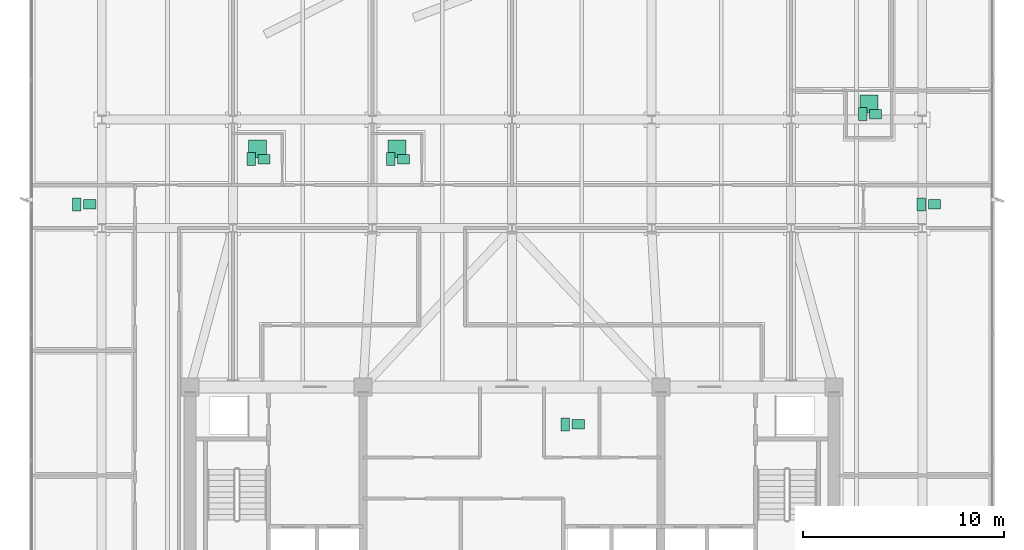
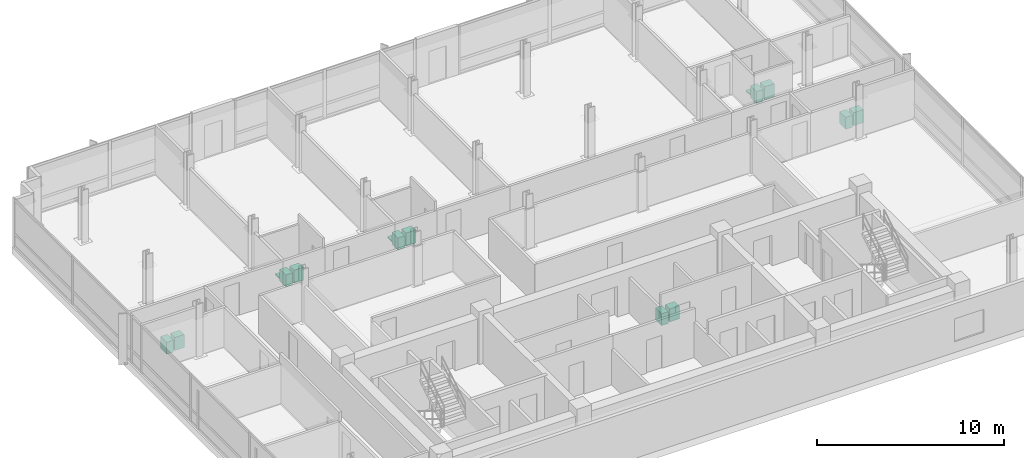
# One storey, part 16 of 16: 15 sanitary terminals.
"""IFC4 building model written with IfcOpenShell, lengths in metres."""

from ifc_helpers import new_model, si_unit, direction, frame, origin, origin_2d, place, context, subcontext, project, spatial, rectangle, extrude, material, type_object, element, save


model = new_model("IFC4")

# Units and contexts
model_context = context("Model", 3, precision=1e-05, world=origin(), true_north=direction((0.0, 1.0)))
body_context = subcontext(model_context, "Body", "Model", "MODEL_VIEW")
ifc_project = project(units=[si_unit("LENGTHUNIT", "METRE"), si_unit("AREAUNIT", "SQUARE_METRE"), si_unit("VOLUMEUNIT", "CUBIC_METRE"), si_unit("PLANEANGLEUNIT", "RADIAN"), si_unit("MASSUNIT", "GRAM", prefix="KILO")], contexts=[model_context])

# Site, building, storey
site_placement = place(None, origin())
site = spatial("IfcSite", under=ifc_project, at=site_placement, CompositionType="ELEMENT")
building_placement = place(site_placement, origin())
building = spatial("IfcBuilding", under=site, at=building_placement, Name="Solmavex Isthmus Hotel", CompositionType="ELEMENT")
storey_placement = place(building_placement, frame((0.0, 0.0, 245.39990234375)))
storey = spatial("IfcBuildingStorey", under=building, at=storey_placement, Name="L66", CompositionType="ELEMENT", Elevation=245.39990234375)

# Sanitary terminals
ifc_material = material(Name="Vitreous china ceramic", Category="ceramic")
sanitary_terminal_type_1 = type_object("IfcSanitaryTerminalType", Name="SAN-BASIN", PredefinedType="WASHHANDBASIN", material=ifc_material)
for number, where, z_axis, x_axis, name in (
    (1, (3.294921875, -4.360107421875, 0.0), (0.0, 0.0, 1.0), (1.0, 0.0, 0.0), "Vanity Washbasin L66-327"),
    (2, (-12.326904296875, 8.824951171875, 0.0), (0.0, 0.0, 1.0), (1.0, 0.0, 0.0), "Vanity Washbasin L66-328"),
    (3, (-5.39111328125, 8.824951171875, 0.0), (0.0, 0.0, 1.0), (1.0, 0.0, 0.0), "Vanity Washbasin L66-329"),
    (4, (18.071044921875, 11.06298828125, 0.0), (0.0, 0.0, 1.0), (1.0, 0.0, 0.0), "Vanity Washbasin L66-330"),
    (5, (-20.9951171875, 6.577392578125, 0.0), (0.0, 0.0, 1.0), (1.0, 0.0, 0.0), "Vanity Washbasin L66-331"),
    (6, (20.99609375, 6.577392578125, 0.0), (0.0, 0.0, 1.0), (1.0, 0.0, 0.0), "Vanity Washbasin L66-332"),
):
    element("IfcSanitaryTerminal", number, at=place(storey_placement, frame(where, z_axis=z_axis, x_axis=x_axis)), inside=storey, type_object=sanitary_terminal_type_1, Name=name, PredefinedType="WASHHANDBASIN", context=body_context, shape_type="SweptSolid", body=[
        extrude(rectangle(XDim=0.60009765625, YDim=0.47998046875, at=origin_2d()), origin(), (0.0, 0.0, 1.0), 0.85009765625),
    ])
sanitary_terminal_type_2 = type_object("IfcSanitaryTerminalType", Name="SAN-SHOWER", PredefinedType="SHOWER", material=ifc_material)
for number, where, z_axis, x_axis, name in (
    (7, (-12.64697265625, 9.324951171875, 0.0), (0.0, 0.0, 1.0), (1.0, 0.0, 0.0), "Walk-In Shower L66-328"),
    (8, (-5.7109375, 9.324951171875, 0.0), (0.0, 0.0, 1.0), (1.0, 0.0, 0.0), "Walk-In Shower L66-329"),
    (9, (17.7509765625, 11.56298828125, 0.0), (0.0, 0.0, 1.0), (1.0, 0.0, 0.0), "Walk-In Shower L66-330"),
):
    element("IfcSanitaryTerminal", number, at=place(storey_placement, frame(where, z_axis=z_axis, x_axis=x_axis)), inside=storey, type_object=sanitary_terminal_type_2, Name=name, PredefinedType="SHOWER", context=body_context, shape_type="SweptSolid", body=[
        extrude(rectangle(XDim=0.89990234375, YDim=0.89990234375, at=origin_2d()), origin(), (0.0, 0.0, 1.0), 0.080078125),
    ])
sanitary_terminal_type_3 = type_object("IfcSanitaryTerminalType", Name="SAN-WC-SUITE", PredefinedType="TOILETPAN", material=ifc_material)
for number, where, z_axis, x_axis, name in (
    (10, (2.655029296875, -4.360107421875, 0.0), (0.0, 0.0, 1.0), (1.0, 0.0, 0.0), "Water Closet L66-327"),
    (11, (-12.967041015625, 8.824951171875, 0.0), (0.0, 0.0, 1.0), (1.0, 0.0, 0.0), "Water Closet L66-328"),
    (12, (-6.031005859375, 8.824951171875, 0.0), (0.0, 0.0, 1.0), (1.0, 0.0, 0.0), "Water Closet L66-329"),
    (13, (17.430908203125, 11.06298828125, 0.0), (0.0, 0.0, 1.0), (1.0, 0.0, 0.0), "Water Closet L66-330"),
    (14, (-21.635009765625, 6.577392578125, 0.0), (0.0, 0.0, 1.0), (1.0, 0.0, 0.0), "Water Closet L66-331"),
    (15, (20.35595703125, 6.577392578125, 0.0), (0.0, 0.0, 1.0), (1.0, 0.0, 0.0), "Water Closet L66-332"),
):
    element("IfcSanitaryTerminal", number, at=place(storey_placement, frame(where, z_axis=z_axis, x_axis=x_axis)), inside=storey, type_object=sanitary_terminal_type_3, Name=name, PredefinedType="TOILETPAN", context=body_context, shape_type="SweptSolid", body=[
        extrude(rectangle(XDim=0.419921875, YDim=0.64990234375, at=origin_2d()), origin(), (0.0, 0.0, 1.0), 0.780029296875),
    ])

save(model, "model.ifc")
